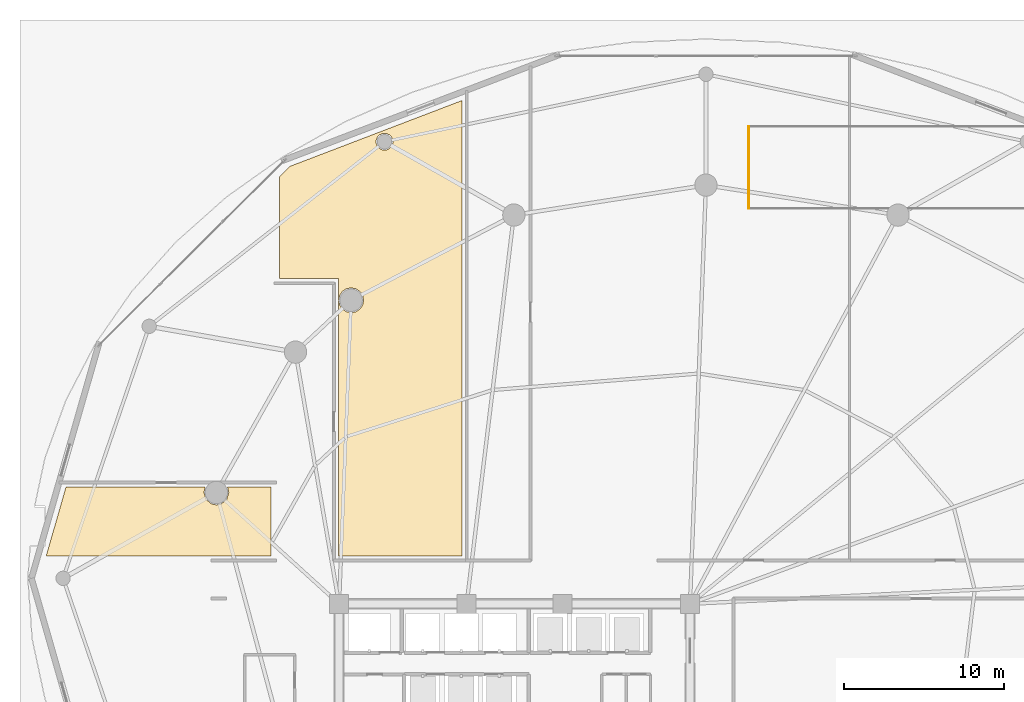
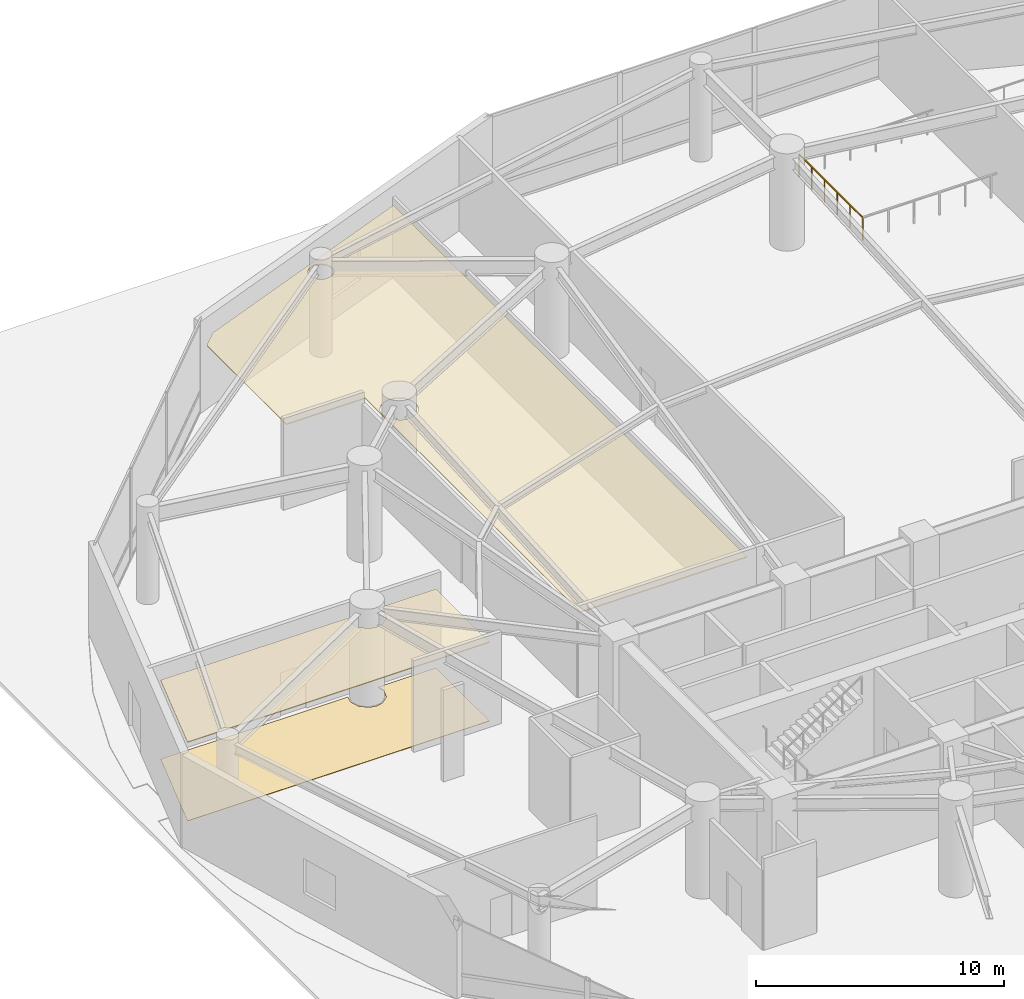
# One storey, part 31 of 35: 3 coverings, 1 railing.
"""IFC4 building model written with IfcOpenShell, lengths in metres."""

from ifc_helpers import new_model, si_unit, direction, frame, origin, origin_2d, place, context, subcontext, project, spatial, polyline, rectangle, outline, extrude, material, layer, layer_set, type_object, element, save


model = new_model("IFC4")

# Units and contexts
model_context = context("Model", 3, precision=1e-05, world=origin(), true_north=direction((0.0, 1.0)))
body_context = subcontext(model_context, "Body", "Model", "MODEL_VIEW")
ifc_project = project(units=[si_unit("LENGTHUNIT", "METRE"), si_unit("AREAUNIT", "SQUARE_METRE"), si_unit("VOLUMEUNIT", "CUBIC_METRE"), si_unit("PLANEANGLEUNIT", "RADIAN"), si_unit("MASSUNIT", "GRAM", prefix="KILO")], contexts=[model_context])

# Site, building, storey
site_placement = place(None, origin())
site = spatial("IfcSite", under=ifc_project, at=site_placement, CompositionType="ELEMENT")
building_placement = place(site_placement, origin())
building = spatial("IfcBuilding", under=site, at=building_placement, Name="Kazevale Care Tower and Concert Hall", CompositionType="ELEMENT")
storey_placement = place(building_placement, origin())
storey = spatial("IfcBuildingStorey", under=building, at=storey_placement, Name="L00", CompositionType="ELEMENT", Elevation=0.0)

# Coverings
ifc_material_1 = material(Name="Acoustic Plaster and Hinoki Wood", Category="wood")
ifc_layer_1 = layer(ifc_material_1, 0.0400390625)
ifc_layer_set_1 = layer_set([ifc_layer_1], Name="Acoustic Plaster and Hinoki Wood")
covering_type_1 = type_object("IfcCoveringType", Name="Acoustic Perforated Wood-Gypsum Ceiling", PredefinedType="CEILING", material=ifc_layer_set_1)
covering_1_placement = place(storey_placement, frame((0.0, 0.0, 3.8701171875)))
element("IfcCovering", 1, at=covering_1_placement, inside=storey, type_object=covering_type_1, Name="clg:L00:1", PredefinedType="CEILING", context=body_context, shape_type="SweptSolid", body=[
    extrude(outline(polyline([(17.719970703125, 39.405029296875), (3.64404296875, 39.405029296875), (4.884033203125, 43.719970703125), (13.612060546875, 43.719970703125), (13.530029296875, 43.3798828125), (13.660888671875, 42.947021484375), (14.011962890625, 42.658935546875), (14.31005859375, 42.60009765625), (14.60791015625, 42.658935546875), (14.958984375, 42.947021484375), (15.090087890625, 43.3798828125), (15.008056640625, 43.719970703125), (17.719970703125, 43.719970703125), (17.719970703125, 39.405029296875)])), origin(), (0.0, 0.0, 1.0), 0.039794921875),
])
covering_2_placement = place(storey_placement, frame((0.0, 0.0, 3.8701171875)))
element("IfcCovering", 2, at=covering_2_placement, inside=storey, type_object=covering_type_1, Name="clg:L00:2", PredefinedType="CEILING", context=body_context, shape_type="SweptSolid", body=[
    extrude(outline(polyline([(21.955078125, 56.780029296875), (18.280029296875, 56.780029296875), (18.280029296875, 63.19091796875), (18.9169921875, 63.824951171875), (29.719970703125, 67.95703125), (29.719970703125, 39.405029296875), (21.955078125, 39.405029296875), (21.955078125, 56.780029296875)]), holes=[polyline([(23.48095703125, 55.72802734375), (23.31201171875, 55.98193359375), (23.05810546875, 56.15087890625), (22.760009765625, 56.2099609375), (22.4619140625, 56.15087890625), (22.2080078125, 55.98193359375), (22.0390625, 55.72802734375), (21.97998046875, 55.429931640625), (22.0390625, 55.132080078125), (22.2080078125, 54.8779296875), (22.4619140625, 54.708984375), (22.760009765625, 54.64990234375), (23.05810546875, 54.708984375), (23.31201171875, 54.8779296875), (23.48095703125, 55.132080078125), (23.5400390625, 55.429931640625), (23.48095703125, 55.72802734375)]), polyline([(25.3701171875, 65.472900390625), (25.291015625, 65.6640625), (25.14404296875, 65.81103515625), (24.952880859375, 65.889892578125), (24.7470703125, 65.889892578125), (24.555908203125, 65.81103515625), (24.408935546875, 65.6640625), (24.330078125, 65.472900390625), (24.330078125, 65.26708984375), (24.408935546875, 65.075927734375), (24.555908203125, 64.928955078125), (24.7470703125, 64.85009765625), (24.952880859375, 64.85009765625), (25.14404296875, 64.928955078125), (25.291015625, 65.075927734375), (25.3701171875, 65.26708984375), (25.3701171875, 65.472900390625)])]), origin(), (0.0, 0.0, 1.0), 0.039794921875),
])

# Railing
ifc_material_2 = material(Name="Anodised Bronze Aluminium and Laminated Glass", Category="aluminium")
railing_type = type_object("IfcRailingType", Name="Balcony and Terrace Balustrade 1120", PredefinedType="BALUSTRADE", material=ifc_material_2)
railing_placement = place(storey_placement, frame((47.679931640625, 61.179931640625, 0.0)))
element("IfcRailing", 3, at=railing_placement, inside=storey, type_object=railing_type, Name="rail:L00:rmp_well:W", PredefinedType="BALUSTRADE", context=body_context, shape_type="SweptSolid", body=[
    extrude(rectangle(XDim=0.048095703125, YDim=0.048095703125, at=origin_2d()), frame((0.0, 0.0, 1.1259765625), z_axis=(0.0, 1.0, 0.0), x_axis=(-1.0, 0.0, 0.0)), (0.0, 0.0, 1.0), 5.14013671875),
    extrude(rectangle(XDim=0.0419921875, YDim=0.0419921875, at=origin_2d()), origin(), (0.0, 0.0, 1.0), 1.101806640625),
    extrude(rectangle(XDim=0.0419921875, YDim=0.0419921875, at=origin_2d()), frame((0.0, 1.028076171875, 0.0)), (0.0, 0.0, 1.0), 1.101806640625),
    extrude(rectangle(XDim=0.0419921875, YDim=0.0419921875, at=origin_2d()), frame((0.0, 2.05615234375, 0.0)), (0.0, 0.0, 1.0), 1.101806640625),
    extrude(rectangle(XDim=0.0419921875, YDim=0.0419921875, at=origin_2d()), frame((0.0, 3.083984375, 0.0)), (0.0, 0.0, 1.0), 1.101806640625),
    extrude(rectangle(XDim=0.0419921875, YDim=0.0419921875, at=origin_2d()), frame((0.0, 4.112060546875, 0.0)), (0.0, 0.0, 1.0), 1.101806640625),
    extrude(rectangle(XDim=0.0419921875, YDim=0.0419921875, at=origin_2d()), frame((0.0, 5.14013671875, 0.0)), (0.0, 0.0, 1.0), 1.101806640625),
])

# Covering
ifc_material_3 = material(Name="Honed Ochre Limestone", Category="masonry")
ifc_layer_2 = layer(ifc_material_3, 0.02001953125)
ifc_layer_set_2 = layer_set([ifc_layer_2], Name="Honed Ochre Limestone")
covering_type_2 = type_object("IfcCoveringType", Name="Slip-Resistant Resilient Care Flooring", PredefinedType="FLOORING", material=ifc_layer_set_2)
covering_3_placement = place(storey_placement, origin())
element("IfcCovering", 4, at=covering_3_placement, inside=storey, type_object=covering_type_2, Name="flr:L00:1", PredefinedType="FLOORING", context=body_context, shape_type="SweptSolid", body=[
    extrude(outline(polyline([(17.719970703125, 39.405029296875), (3.64404296875, 39.405029296875), (4.884033203125, 43.719970703125), (13.612060546875, 43.719970703125), (13.530029296875, 43.3798828125), (13.660888671875, 42.947021484375), (14.011962890625, 42.658935546875), (14.31005859375, 42.60009765625), (14.60791015625, 42.658935546875), (14.958984375, 42.947021484375), (15.090087890625, 43.3798828125), (15.008056640625, 43.719970703125), (17.719970703125, 43.719970703125), (17.719970703125, 39.405029296875)])), origin(), (0.0, 0.0, 1.0), 0.02001953125),
])

save(model, "model.ifc")
